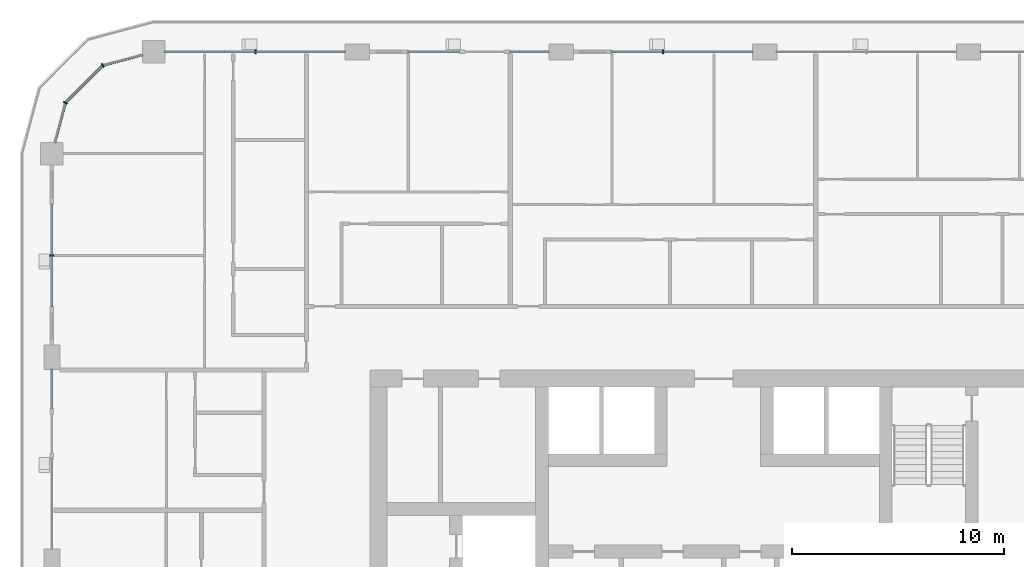
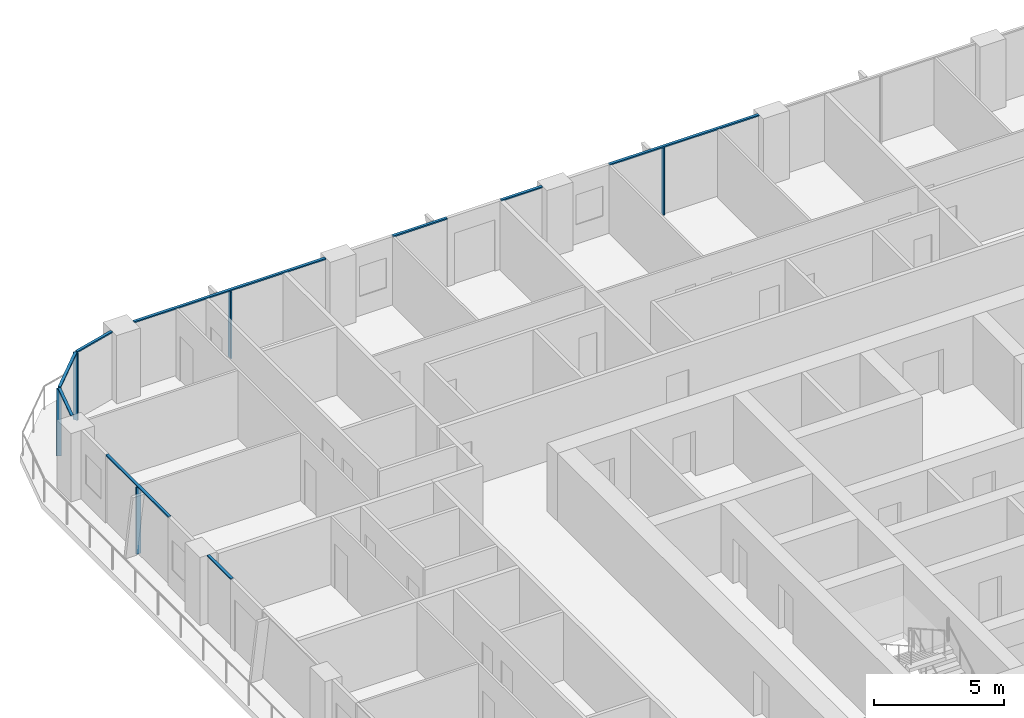
# One storey, part 5 of 22: 14 members, 6 elements without a shape of their own.
"""IFC4 building model written with IfcOpenShell, lengths in metres."""

from ifc_helpers import new_model, si_unit, direction, frame, origin, origin_2d, place, context, subcontext, project, spatial, rectangle, extrude, material, layer, layer_set, material_profile, profile_set, type_object, element, aggregate, save


model = new_model("IFC4")

# Units and contexts
model_context = context("Model", 3, precision=1e-05, world=origin(), true_north=direction((0.0, 1.0)))
body_context = subcontext(model_context, "Body", "Model", "MODEL_VIEW")
ifc_project = project(units=[si_unit("LENGTHUNIT", "METRE"), si_unit("AREAUNIT", "SQUARE_METRE"), si_unit("VOLUMEUNIT", "CUBIC_METRE"), si_unit("PLANEANGLEUNIT", "RADIAN"), si_unit("MASSUNIT", "GRAM", prefix="KILO")], contexts=[model_context])

# Site, building, storey
site_placement = place(None, origin())
site = spatial("IfcSite", under=ifc_project, at=site_placement, CompositionType="ELEMENT")
building_placement = place(site_placement, origin())
building = spatial("IfcBuilding", under=site, at=building_placement, Name="Madar Terraces", CompositionType="ELEMENT")
storey_placement = place(building_placement, frame((0.0, 0.0, 136.60009765625)))
storey = spatial("IfcBuildingStorey", under=building, at=storey_placement, Name="L35", CompositionType="ELEMENT", Elevation=136.60009765625)

# Curtain wall, member
ifc_material_1 = material(Name="Glass, ceramic frit dark grey, with black aluminium frame", Category="aluminium")
ifc_layer = layer(ifc_material_1, 0.199951171875)
ifc_layer_set = layer_set([ifc_layer], Name="Facade curtain wall, fritted glass")
curtain_wall_type = type_object("IfcCurtainWallType", Name="Facade curtain wall, fritted glass", PredefinedType="NOTDEFINED", material=ifc_layer_set)
curtain_wall_1_placement = place(storey_placement, origin())
curtain_wall_1 = element("IfcCurtainWall", 1, at=curtain_wall_1_placement, inside=storey, type_object=curtain_wall_type, Name="Outer skin curtain wall north bay 3", PredefinedType="NOTDEFINED")
ifc_material_2 = material(Name="Aluminium, black anodised", Category="aluminium")
ifc_material_profile_1 = material_profile(ifc_material_2, rectangle(XDim=0.199951171875, YDim=0.06005859375, at=origin_2d()), Name="Facade mullion 60x200")
ifc_profile_set_1 = profile_set([ifc_material_profile_1], Name="Aluminium, black anodised")
member_type_1 = type_object("IfcMemberType", Name="Facade mullion 60x200", PredefinedType="MULLION", material=ifc_profile_set_1)
member_1_placement = place(storey_placement, frame((28.800048828125, 52.800048828125, 0.0), z_axis=(0.0, 0.0, 1.0), x_axis=(0.0, -1.0, 0.0)))
member_1 = element("IfcMember", 2, at=member_1_placement, type_object=member_type_1, Name="Mullion 1", PredefinedType="MULLION", context=body_context, shape_type="SweptSolid", body=[
    extrude(rectangle(XDim=0.199951171875, YDim=0.06005859375, at=origin_2d()), origin(), (0.0, 0.0, 1.0), 3.139892578125),
])

curtain_wall_2_placement = place(storey_placement, origin())
curtain_wall_2 = element("IfcCurtainWall", 3, at=curtain_wall_2_placement, inside=storey, type_object=curtain_wall_type, Name="Outer skin curtain wall north bay 5", PredefinedType="NOTDEFINED")
member_2_placement = place(storey_placement, frame((9.60009765625, 52.800048828125, 0.0), z_axis=(0.0, 0.0, 1.0), x_axis=(0.0, -1.0, 0.0)))
member_2 = element("IfcMember", 4, at=member_2_placement, type_object=member_type_1, Name="Mullion 1", PredefinedType="MULLION", context=body_context, shape_type="SweptSolid", body=[
    extrude(rectangle(XDim=0.199951171875, YDim=0.06005859375, at=origin_2d()), origin(), (0.0, 0.0, 1.0), 3.139892578125),
])

curtain_wall_3_placement = place(storey_placement, origin())
curtain_wall_3 = element("IfcCurtainWall", 5, at=curtain_wall_3_placement, inside=storey, type_object=curtain_wall_type, Name="Outer skin curtain wall west bay 1", PredefinedType="NOTDEFINED")
member_3_placement = place(storey_placement, frame((0.0, 43.199951171875, 0.0), z_axis=(0.0, 0.0, 1.0), x_axis=(1.0, 0.0, 0.0)))
member_3 = element("IfcMember", 6, at=member_3_placement, type_object=member_type_1, Name="Mullion 1", PredefinedType="MULLION", context=body_context, shape_type="SweptSolid", body=[
    extrude(rectangle(XDim=0.199951171875, YDim=0.06005859375, at=origin_2d()), origin(), (0.0, 0.0, 1.0), 3.139892578125),
])

# Curtain wall, members
curtain_wall_4_placement = place(storey_placement, origin())
curtain_wall_4 = element("IfcCurtainWall", 7, at=curtain_wall_4_placement, inside=storey, type_object=curtain_wall_type, Name="Outer skin curtain wall north-west corner", PredefinedType="NOTDEFINED")
member_4_placement = place(storey_placement, frame((2.39990234375, 52.156982421875, 0.0), z_axis=(0.0, 0.0, 1.0), x_axis=(0.499999989586, -0.866025409797, 0.0)))
member_4 = element("IfcMember", 8, at=member_4_placement, type_object=member_type_1, Name="Mullion 1", PredefinedType="MULLION", context=body_context, shape_type="SweptSolid", body=[
    extrude(rectangle(XDim=0.199951171875, YDim=0.06005859375, at=origin_2d()), origin(), (0.0, 0.0, 1.0), 3.139892578125),
])
member_5_placement = place(storey_placement, frame((0.64306640625, 50.39990234375, 0.0), z_axis=(0.0, 0.0, 1.0), x_axis=(0.866025409797, -0.499999989586, 0.0)))
member_5 = element("IfcMember", 9, at=member_5_placement, type_object=member_type_1, Name="Mullion 2", PredefinedType="MULLION", context=body_context, shape_type="SweptSolid", body=[
    extrude(rectangle(XDim=0.199951171875, YDim=0.06005859375, at=origin_2d()), origin(), (0.0, 0.0, 1.0), 3.139892578125),
])

# Member
ifc_material_3 = material(Name="Aluminium, black anodised", Category="aluminium")
ifc_material_profile_2 = material_profile(ifc_material_3, rectangle(XDim=0.1201171875, YDim=0.06005859375, at=origin_2d()), Name="Facade transom 60x120")
ifc_profile_set_2 = profile_set([ifc_material_profile_2], Name="Aluminium, black anodised")
member_type_2 = type_object("IfcMemberType", Name="Facade transom 60x120", PredefinedType="USERDEFINED", material=ifc_profile_set_2)
member_6_placement = place(storey_placement, frame((33.02490234375, 52.800048828125, 3.169921875), z_axis=(-1.0, 0.0, 0.0), x_axis=(0.0, -1.0, 0.0)))
member_6 = element("IfcMember", 10, at=member_6_placement, type_object=member_type_2, Name="Transom 1", ObjectType="TRANSOM", PredefinedType="USERDEFINED", context=body_context, shape_type="SweptSolid", body=[
    extrude(rectangle(XDim=0.1201171875, YDim=0.06005859375, at=origin_2d()), origin(), (0.0, 0.0, 1.0), 6.625),
])

aggregate(curtain_wall_1, [member_1, member_6])

# Curtain wall, members
curtain_wall_5_placement = place(storey_placement, origin())
curtain_wall_5 = element("IfcCurtainWall", 11, at=curtain_wall_5_placement, inside=storey, type_object=curtain_wall_type, Name="Outer skin curtain wall north bay 4", PredefinedType="NOTDEFINED")
member_7_placement = place(storey_placement, frame((23.425048828125, 52.800048828125, 3.169921875), z_axis=(-1.0, 0.0, 0.0), x_axis=(0.0, -1.0, 0.0)))
member_7 = element("IfcMember", 12, at=member_7_placement, type_object=member_type_2, Name="Transom 1", ObjectType="TRANSOM", PredefinedType="USERDEFINED", context=body_context, shape_type="SweptSolid", body=[
    extrude(rectangle(XDim=0.1201171875, YDim=0.06005859375, at=origin_2d()), origin(), (0.0, 0.0, 1.0), 1.824951171875),
])
member_8_placement = place(storey_placement, frame((19.199951171875, 52.800048828125, 3.169921875), z_axis=(-1.0, 0.0, 0.0), x_axis=(0.0, -1.0, 0.0)))
member_8 = element("IfcMember", 13, at=member_8_placement, type_object=member_type_2, Name="Transom 2", ObjectType="TRANSOM", PredefinedType="USERDEFINED", context=body_context, shape_type="SweptSolid", body=[
    extrude(rectangle(XDim=0.1201171875, YDim=0.06005859375, at=origin_2d()), origin(), (0.0, 0.0, 1.0), 2.39990234375),
])
aggregate(curtain_wall_5, [member_7, member_8])

# Member
member_9_placement = place(storey_placement, frame((13.824951171875, 52.800048828125, 3.169921875), z_axis=(-1.0, 0.0, 0.0), x_axis=(0.0, -1.0, 0.0)))
member_9 = element("IfcMember", 14, at=member_9_placement, type_object=member_type_2, Name="Transom 1", ObjectType="TRANSOM", PredefinedType="USERDEFINED", context=body_context, shape_type="SweptSolid", body=[
    extrude(rectangle(XDim=0.1201171875, YDim=0.06005859375, at=origin_2d()), origin(), (0.0, 0.0, 1.0), 8.5),
])

aggregate(curtain_wall_2, [member_2, member_9])

member_10_placement = place(storey_placement, frame((0.0, 45.60009765625, 3.169921875), z_axis=(0.0, -1.0, 0.0), x_axis=(1.0, 0.0, 0.0)))
member_10 = element("IfcMember", 15, at=member_10_placement, type_object=member_type_2, Name="Transom 1", ObjectType="TRANSOM", PredefinedType="USERDEFINED", context=body_context, shape_type="SweptSolid", body=[
    extrude(rectangle(XDim=0.1201171875, YDim=0.06005859375, at=origin_2d()), origin(), (0.0, 0.0, 1.0), 4.800048828125),
])

aggregate(curtain_wall_3, [member_3, member_10])

# Curtain wall, member
curtain_wall_6_placement = place(storey_placement, origin())
curtain_wall_6 = element("IfcCurtainWall", 16, at=curtain_wall_6_placement, inside=storey, type_object=curtain_wall_type, Name="Outer skin curtain wall west bay 2", PredefinedType="NOTDEFINED")
member_11_placement = place(storey_placement, frame((0.0, 37.824951171875, 3.169921875), z_axis=(0.0, -1.0, 0.0), x_axis=(1.0, 0.0, 0.0)))
member_11 = element("IfcMember", 17, at=member_11_placement, type_object=member_type_2, Name="Transom 1", ObjectType="TRANSOM", PredefinedType="USERDEFINED", context=body_context, shape_type="SweptSolid", body=[
    extrude(rectangle(XDim=0.1201171875, YDim=0.06005859375, at=origin_2d()), origin(), (0.0, 0.0, 1.0), 1.824951171875),
])
aggregate(curtain_wall_6, [member_11])

# Member
member_12_placement = place(storey_placement, frame((4.27490234375, 52.659423828125, 3.169921875), z_axis=(-0.965924671538, -0.258823354654, 0.0), x_axis=(0.258823354654, -0.965924671538, 0.0)))
member_12 = element("IfcMember", 18, at=member_12_placement, type_object=member_type_2, Name="Transom 1", ObjectType="TRANSOM", PredefinedType="USERDEFINED", context=body_context, shape_type="SweptSolid", body=[
    extrude(rectangle(XDim=0.1201171875, YDim=0.06005859375, at=origin_2d()), origin(), (0.0, 0.0, 1.0), 1.9111328125),
])

member_13_placement = place(storey_placement, frame((2.37890625, 52.1357421875, 3.169921875), z_axis=(-0.707106781187, -0.707106781187, 0.0), x_axis=(0.707106781187, -0.707106781187, 0.0)))
member_13 = element("IfcMember", 19, at=member_13_placement, type_object=member_type_2, Name="Transom 2", ObjectType="TRANSOM", PredefinedType="USERDEFINED", context=body_context, shape_type="SweptSolid", body=[
    extrude(rectangle(XDim=0.1201171875, YDim=0.06005859375, at=origin_2d()), origin(), (0.0, 0.0, 1.0), 2.4248046875),
])

member_14_placement = place(storey_placement, frame((0.63525390625, 50.37109375, 3.169921875), z_axis=(-0.25879142023, -0.965933227928, 0.0), x_axis=(0.965933227928, -0.25879142023, 0.0)))
member_14 = element("IfcMember", 20, at=member_14_placement, type_object=member_type_2, Name="Transom 3", ObjectType="TRANSOM", PredefinedType="USERDEFINED", context=body_context, shape_type="SweptSolid", body=[
    extrude(rectangle(XDim=0.1201171875, YDim=0.06005859375, at=origin_2d()), origin(), (0.0, 0.0, 1.0), 1.911376953125),
])

aggregate(curtain_wall_4, [member_4, member_12, member_5, member_13, member_14])

save(model, "model.ifc")
